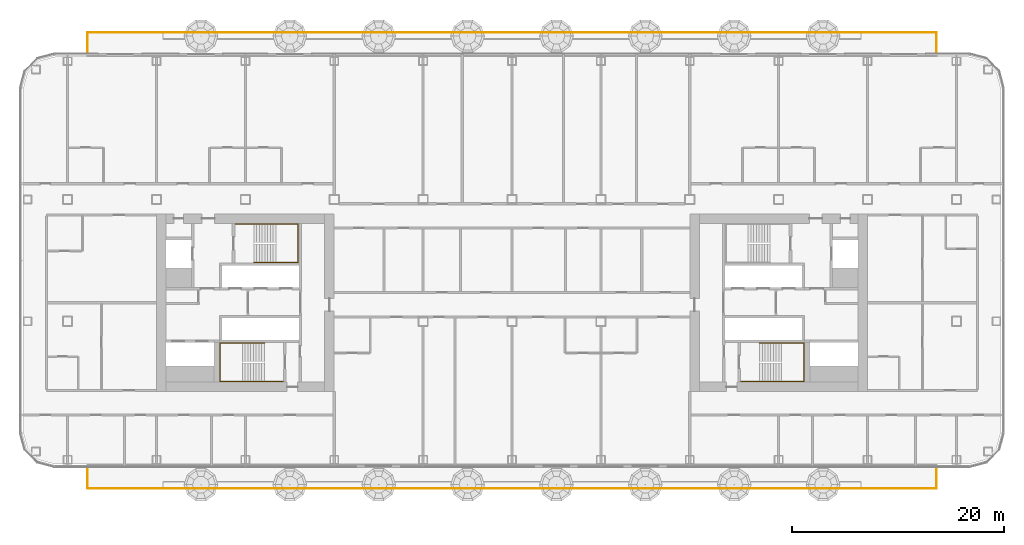
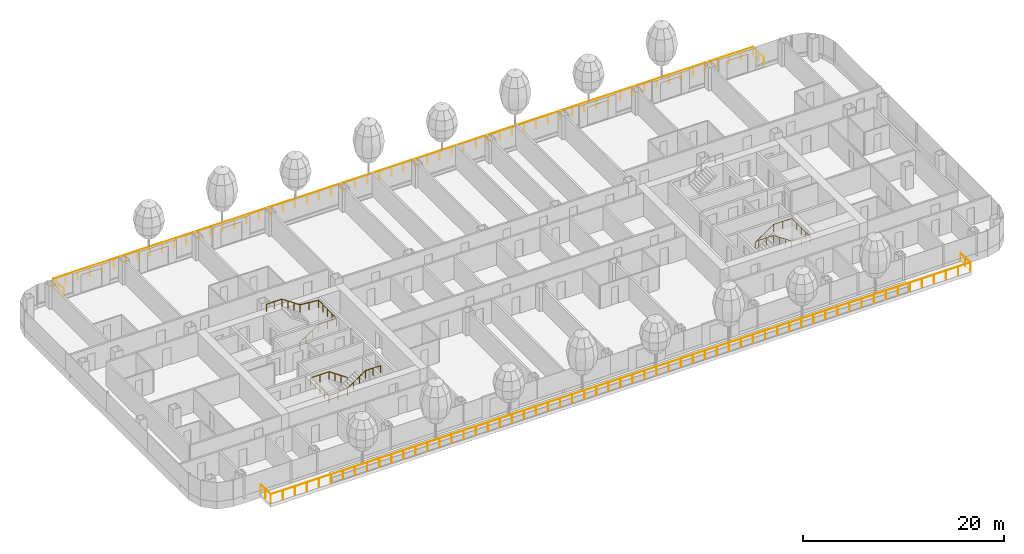
# One storey, part 28 of 34: 5 railings.
"""IFC4 building model written with IfcOpenShell, lengths in metres."""

from ifc_helpers import new_model, si_unit, direction, frame, origin, origin_2d, place, context, subcontext, project, spatial, circle, extrude, material, type_object, element, save


model = new_model("IFC4")

# Units and contexts
model_context = context("Model", 3, precision=1e-05, world=origin(), true_north=direction((0.0, 1.0)))
body_context = subcontext(model_context, "Body", "Model", "MODEL_VIEW")
ifc_project = project(units=[si_unit("LENGTHUNIT", "METRE"), si_unit("AREAUNIT", "SQUARE_METRE"), si_unit("VOLUMEUNIT", "CUBIC_METRE"), si_unit("PLANEANGLEUNIT", "RADIAN"), si_unit("MASSUNIT", "GRAM", prefix="KILO")], contexts=[model_context])

# Site, building, storey
site_placement = place(None, origin())
site = spatial("IfcSite", under=ifc_project, at=site_placement, CompositionType="ELEMENT")
building_placement = place(site_placement, origin())
building = spatial("IfcBuilding", under=site, at=building_placement, Name="Hakoniwa Tower and Hamabe Station Hall", CompositionType="ELEMENT")
storey_placement = place(building_placement, frame((0.0, 0.0, 107.39990234375)))
storey = spatial("IfcBuildingStorey", under=building, at=storey_placement, Name="L30", CompositionType="ELEMENT", Elevation=107.39990234375)

# Railings
ifc_material_1 = material(Name="Stainless steel and laminated glass", Category="steel")
railing_type_1 = type_object("IfcRailingType", Name="BALCONY BALUSTRADE 1100", PredefinedType="BALUSTRADE", material=ifc_material_1)
railing_1_placement = place(storey_placement, frame((-40.10009765625, 23.550048828125, 0.0)))
element("IfcRailing", 1, at=railing_1_placement, inside=storey, type_object=railing_type_1, Name="Balcony balustrade", PredefinedType="BALUSTRADE", context=body_context, shape_type="SweptSolid", body=[
    extrude(circle(Radius=0.02392578125, at=origin_2d()), frame((0.0, 0.0, 1.076171875), z_axis=(0.0, 1.0, 0.0), x_axis=(-1.0, 0.0, 0.0)), (0.0, 0.0, 1.0), 2.0),
    extrude(circle(Radius=0.02392578125, at=origin_2d()), frame((0.0, 2.0, 1.076171875), z_axis=(1.0, 0.0, 0.0), x_axis=(0.0, 1.0, 0.0)), (0.0, 0.0, 1.0), 80.2001953125),
    extrude(circle(Radius=0.02392578125, at=origin_2d()), frame((80.2001953125, 2.0, 1.076171875), z_axis=(0.0, -1.0, 0.0), x_axis=(1.0, 0.0, 0.0)), (0.0, 0.0, 1.0), 2.0),
    extrude(circle(Radius=0.02099609375, at=origin_2d()), origin(), (0.0, 0.0, 1.0), 1.052001953125),
    extrude(circle(Radius=0.02099609375, at=origin_2d()), frame((0.0, 1.0, 0.0)), (0.0, 0.0, 1.0), 1.052001953125),
    extrude(circle(Radius=0.02099609375, at=origin_2d()), frame((0.0, 2.0, 0.0)), (0.0, 0.0, 1.0), 1.052001953125),
    extrude(circle(Radius=0.02099609375, at=origin_2d()), frame((1.3828125, 2.0, 0.0)), (0.0, 0.0, 1.0), 1.052001953125),
    extrude(circle(Radius=0.02099609375, at=origin_2d()), frame((2.765625, 2.0, 0.0)), (0.0, 0.0, 1.0), 1.052001953125),
    extrude(circle(Radius=0.02099609375, at=origin_2d()), frame((4.148193359375, 2.0, 0.0)), (0.0, 0.0, 1.0), 1.052001953125),
    extrude(circle(Radius=0.02099609375, at=origin_2d()), frame((5.531005859375, 2.0, 0.0)), (0.0, 0.0, 1.0), 1.052001953125),
    extrude(circle(Radius=0.02099609375, at=origin_2d()), frame((6.913818359375, 2.0, 0.0)), (0.0, 0.0, 1.0), 1.052001953125),
    extrude(circle(Radius=0.02099609375, at=origin_2d()), frame((8.296630859375, 2.0, 0.0)), (0.0, 0.0, 1.0), 1.052001953125),
    extrude(circle(Radius=0.02099609375, at=origin_2d()), frame((9.679443359375, 2.0, 0.0)), (0.0, 0.0, 1.0), 1.052001953125),
    extrude(circle(Radius=0.02099609375, at=origin_2d()), frame((11.06201171875, 2.0, 0.0)), (0.0, 0.0, 1.0), 1.052001953125),
    extrude(circle(Radius=0.02099609375, at=origin_2d()), frame((12.44482421875, 2.0, 0.0)), (0.0, 0.0, 1.0), 1.052001953125),
    extrude(circle(Radius=0.02099609375, at=origin_2d()), frame((13.82763671875, 2.0, 0.0)), (0.0, 0.0, 1.0), 1.052001953125),
    extrude(circle(Radius=0.02099609375, at=origin_2d()), frame((15.21044921875, 2.0, 0.0)), (0.0, 0.0, 1.0), 1.052001953125),
    extrude(circle(Radius=0.02099609375, at=origin_2d()), frame((16.59326171875, 2.0, 0.0)), (0.0, 0.0, 1.0), 1.052001953125),
    extrude(circle(Radius=0.02099609375, at=origin_2d()), frame((17.975830078125, 2.0, 0.0)), (0.0, 0.0, 1.0), 1.052001953125),
    extrude(circle(Radius=0.02099609375, at=origin_2d()), frame((19.358642578125, 2.0, 0.0)), (0.0, 0.0, 1.0), 1.052001953125),
    extrude(circle(Radius=0.02099609375, at=origin_2d()), frame((20.741455078125, 2.0, 0.0)), (0.0, 0.0, 1.0), 1.052001953125),
    extrude(circle(Radius=0.02099609375, at=origin_2d()), frame((22.124267578125, 2.0, 0.0)), (0.0, 0.0, 1.0), 1.052001953125),
    extrude(circle(Radius=0.02099609375, at=origin_2d()), frame((23.5068359375, 2.0, 0.0)), (0.0, 0.0, 1.0), 1.052001953125),
    extrude(circle(Radius=0.02099609375, at=origin_2d()), frame((24.8896484375, 2.0, 0.0)), (0.0, 0.0, 1.0), 1.052001953125),
    extrude(circle(Radius=0.02099609375, at=origin_2d()), frame((26.2724609375, 2.0, 0.0)), (0.0, 0.0, 1.0), 1.052001953125),
    extrude(circle(Radius=0.02099609375, at=origin_2d()), frame((27.6552734375, 2.0, 0.0)), (0.0, 0.0, 1.0), 1.052001953125),
    extrude(circle(Radius=0.02099609375, at=origin_2d()), frame((29.0380859375, 2.0, 0.0)), (0.0, 0.0, 1.0), 1.052001953125),
    extrude(circle(Radius=0.02099609375, at=origin_2d()), frame((30.420654296875, 2.0, 0.0)), (0.0, 0.0, 1.0), 1.052001953125),
    extrude(circle(Radius=0.02099609375, at=origin_2d()), frame((31.803466796875, 2.0, 0.0)), (0.0, 0.0, 1.0), 1.052001953125),
    extrude(circle(Radius=0.02099609375, at=origin_2d()), frame((33.186279296875, 2.0, 0.0)), (0.0, 0.0, 1.0), 1.052001953125),
    extrude(circle(Radius=0.02099609375, at=origin_2d()), frame((34.569091796875, 2.0, 0.0)), (0.0, 0.0, 1.0), 1.052001953125),
    extrude(circle(Radius=0.02099609375, at=origin_2d()), frame((35.951904296875, 2.0, 0.0)), (0.0, 0.0, 1.0), 1.052001953125),
    extrude(circle(Radius=0.02099609375, at=origin_2d()), frame((37.33447265625, 2.0, 0.0)), (0.0, 0.0, 1.0), 1.052001953125),
    extrude(circle(Radius=0.02099609375, at=origin_2d()), frame((38.71728515625, 2.0, 0.0)), (0.0, 0.0, 1.0), 1.052001953125),
    extrude(circle(Radius=0.02099609375, at=origin_2d()), frame((40.10009765625, 2.0, 0.0)), (0.0, 0.0, 1.0), 1.052001953125),
    extrude(circle(Radius=0.02099609375, at=origin_2d()), frame((41.48291015625, 2.0, 0.0)), (0.0, 0.0, 1.0), 1.052001953125),
    extrude(circle(Radius=0.02099609375, at=origin_2d()), frame((42.86572265625, 2.0, 0.0)), (0.0, 0.0, 1.0), 1.052001953125),
    extrude(circle(Radius=0.02099609375, at=origin_2d()), frame((44.248291015625, 2.0, 0.0)), (0.0, 0.0, 1.0), 1.052001953125),
    extrude(circle(Radius=0.02099609375, at=origin_2d()), frame((45.631103515625, 2.0, 0.0)), (0.0, 0.0, 1.0), 1.052001953125),
    extrude(circle(Radius=0.02099609375, at=origin_2d()), frame((47.013916015625, 2.0, 0.0)), (0.0, 0.0, 1.0), 1.052001953125),
    extrude(circle(Radius=0.02099609375, at=origin_2d()), frame((48.396728515625, 2.0, 0.0)), (0.0, 0.0, 1.0), 1.052001953125),
    extrude(circle(Radius=0.02099609375, at=origin_2d()), frame((49.779541015625, 2.0, 0.0)), (0.0, 0.0, 1.0), 1.052001953125),
    extrude(circle(Radius=0.02099609375, at=origin_2d()), frame((51.162109375, 2.0, 0.0)), (0.0, 0.0, 1.0), 1.052001953125),
    extrude(circle(Radius=0.02099609375, at=origin_2d()), frame((52.544921875, 2.0, 0.0)), (0.0, 0.0, 1.0), 1.052001953125),
    extrude(circle(Radius=0.02099609375, at=origin_2d()), frame((53.927734375, 2.0, 0.0)), (0.0, 0.0, 1.0), 1.052001953125),
    extrude(circle(Radius=0.02099609375, at=origin_2d()), frame((55.310546875, 2.0, 0.0)), (0.0, 0.0, 1.0), 1.052001953125),
    extrude(circle(Radius=0.02099609375, at=origin_2d()), frame((56.693359375, 2.0, 0.0)), (0.0, 0.0, 1.0), 1.052001953125),
    extrude(circle(Radius=0.02099609375, at=origin_2d()), frame((58.075927734375, 2.0, 0.0)), (0.0, 0.0, 1.0), 1.052001953125),
    extrude(circle(Radius=0.02099609375, at=origin_2d()), frame((59.458740234375, 2.0, 0.0)), (0.0, 0.0, 1.0), 1.052001953125),
    extrude(circle(Radius=0.02099609375, at=origin_2d()), frame((60.841552734375, 2.0, 0.0)), (0.0, 0.0, 1.0), 1.052001953125),
    extrude(circle(Radius=0.02099609375, at=origin_2d()), frame((62.224365234375, 2.0, 0.0)), (0.0, 0.0, 1.0), 1.052001953125),
    extrude(circle(Radius=0.02099609375, at=origin_2d()), frame((63.60693359375, 2.0, 0.0)), (0.0, 0.0, 1.0), 1.052001953125),
    extrude(circle(Radius=0.02099609375, at=origin_2d()), frame((64.98974609375, 2.0, 0.0)), (0.0, 0.0, 1.0), 1.052001953125),
    extrude(circle(Radius=0.02099609375, at=origin_2d()), frame((66.37255859375, 2.0, 0.0)), (0.0, 0.0, 1.0), 1.052001953125),
    extrude(circle(Radius=0.02099609375, at=origin_2d()), frame((67.75537109375, 2.0, 0.0)), (0.0, 0.0, 1.0), 1.052001953125),
    extrude(circle(Radius=0.02099609375, at=origin_2d()), frame((69.13818359375, 2.0, 0.0)), (0.0, 0.0, 1.0), 1.052001953125),
    extrude(circle(Radius=0.02099609375, at=origin_2d()), frame((70.520751953125, 2.0, 0.0)), (0.0, 0.0, 1.0), 1.052001953125),
    extrude(circle(Radius=0.02099609375, at=origin_2d()), frame((71.903564453125, 2.0, 0.0)), (0.0, 0.0, 1.0), 1.052001953125),
    extrude(circle(Radius=0.02099609375, at=origin_2d()), frame((73.286376953125, 2.0, 0.0)), (0.0, 0.0, 1.0), 1.052001953125),
    extrude(circle(Radius=0.02099609375, at=origin_2d()), frame((74.669189453125, 2.0, 0.0)), (0.0, 0.0, 1.0), 1.052001953125),
    extrude(circle(Radius=0.02099609375, at=origin_2d()), frame((76.052001953125, 2.0, 0.0)), (0.0, 0.0, 1.0), 1.052001953125),
    extrude(circle(Radius=0.02099609375, at=origin_2d()), frame((77.4345703125, 2.0, 0.0)), (0.0, 0.0, 1.0), 1.052001953125),
    extrude(circle(Radius=0.02099609375, at=origin_2d()), frame((78.8173828125, 2.0, 0.0)), (0.0, 0.0, 1.0), 1.052001953125),
    extrude(circle(Radius=0.02099609375, at=origin_2d()), frame((80.2001953125, 2.0, 0.0)), (0.0, 0.0, 1.0), 1.052001953125),
    extrude(circle(Radius=0.02099609375, at=origin_2d()), frame((80.2001953125, 1.0, 0.0)), (0.0, 0.0, 1.0), 1.052001953125),
    extrude(circle(Radius=0.02099609375, at=origin_2d()), frame((80.2001953125, 0.0, 0.0)), (0.0, 0.0, 1.0), 1.052001953125),
])
railing_2_placement = place(storey_placement, frame((-40.10009765625, -15.550048828125, 0.0)))
element("IfcRailing", 2, at=railing_2_placement, inside=storey, type_object=railing_type_1, Name="Balcony balustrade", PredefinedType="BALUSTRADE", context=body_context, shape_type="SweptSolid", body=[
    extrude(circle(Radius=0.02392578125, at=origin_2d()), frame((0.0, 0.0, 1.076171875), z_axis=(0.0, -1.0, 0.0), x_axis=(1.0, 0.0, 0.0)), (0.0, 0.0, 1.0), 2.0),
    extrude(circle(Radius=0.02392578125, at=origin_2d()), frame((0.0, -2.0, 1.076171875), z_axis=(1.0, 0.0, 0.0), x_axis=(0.0, 1.0, 0.0)), (0.0, 0.0, 1.0), 80.2001953125),
    extrude(circle(Radius=0.02392578125, at=origin_2d()), frame((80.2001953125, -2.0, 1.076171875), z_axis=(0.0, 1.0, 0.0), x_axis=(-1.0, 0.0, 0.0)), (0.0, 0.0, 1.0), 2.0),
    extrude(circle(Radius=0.02099609375, at=origin_2d()), origin(), (0.0, 0.0, 1.0), 1.052001953125),
    extrude(circle(Radius=0.02099609375, at=origin_2d()), frame((0.0, -1.0, 0.0)), (0.0, 0.0, 1.0), 1.052001953125),
    extrude(circle(Radius=0.02099609375, at=origin_2d()), frame((0.0, -2.0, 0.0)), (0.0, 0.0, 1.0), 1.052001953125),
    extrude(circle(Radius=0.02099609375, at=origin_2d()), frame((1.3828125, -2.0, 0.0)), (0.0, 0.0, 1.0), 1.052001953125),
    extrude(circle(Radius=0.02099609375, at=origin_2d()), frame((2.765625, -2.0, 0.0)), (0.0, 0.0, 1.0), 1.052001953125),
    extrude(circle(Radius=0.02099609375, at=origin_2d()), frame((4.148193359375, -2.0, 0.0)), (0.0, 0.0, 1.0), 1.052001953125),
    extrude(circle(Radius=0.02099609375, at=origin_2d()), frame((5.531005859375, -2.0, 0.0)), (0.0, 0.0, 1.0), 1.052001953125),
    extrude(circle(Radius=0.02099609375, at=origin_2d()), frame((6.913818359375, -2.0, 0.0)), (0.0, 0.0, 1.0), 1.052001953125),
    extrude(circle(Radius=0.02099609375, at=origin_2d()), frame((8.296630859375, -2.0, 0.0)), (0.0, 0.0, 1.0), 1.052001953125),
    extrude(circle(Radius=0.02099609375, at=origin_2d()), frame((9.679443359375, -2.0, 0.0)), (0.0, 0.0, 1.0), 1.052001953125),
    extrude(circle(Radius=0.02099609375, at=origin_2d()), frame((11.06201171875, -2.0, 0.0)), (0.0, 0.0, 1.0), 1.052001953125),
    extrude(circle(Radius=0.02099609375, at=origin_2d()), frame((12.44482421875, -2.0, 0.0)), (0.0, 0.0, 1.0), 1.052001953125),
    extrude(circle(Radius=0.02099609375, at=origin_2d()), frame((13.82763671875, -2.0, 0.0)), (0.0, 0.0, 1.0), 1.052001953125),
    extrude(circle(Radius=0.02099609375, at=origin_2d()), frame((15.21044921875, -2.0, 0.0)), (0.0, 0.0, 1.0), 1.052001953125),
    extrude(circle(Radius=0.02099609375, at=origin_2d()), frame((16.59326171875, -2.0, 0.0)), (0.0, 0.0, 1.0), 1.052001953125),
    extrude(circle(Radius=0.02099609375, at=origin_2d()), frame((17.975830078125, -2.0, 0.0)), (0.0, 0.0, 1.0), 1.052001953125),
    extrude(circle(Radius=0.02099609375, at=origin_2d()), frame((19.358642578125, -2.0, 0.0)), (0.0, 0.0, 1.0), 1.052001953125),
    extrude(circle(Radius=0.02099609375, at=origin_2d()), frame((20.741455078125, -2.0, 0.0)), (0.0, 0.0, 1.0), 1.052001953125),
    extrude(circle(Radius=0.02099609375, at=origin_2d()), frame((22.124267578125, -2.0, 0.0)), (0.0, 0.0, 1.0), 1.052001953125),
    extrude(circle(Radius=0.02099609375, at=origin_2d()), frame((23.5068359375, -2.0, 0.0)), (0.0, 0.0, 1.0), 1.052001953125),
    extrude(circle(Radius=0.02099609375, at=origin_2d()), frame((24.8896484375, -2.0, 0.0)), (0.0, 0.0, 1.0), 1.052001953125),
    extrude(circle(Radius=0.02099609375, at=origin_2d()), frame((26.2724609375, -2.0, 0.0)), (0.0, 0.0, 1.0), 1.052001953125),
    extrude(circle(Radius=0.02099609375, at=origin_2d()), frame((27.6552734375, -2.0, 0.0)), (0.0, 0.0, 1.0), 1.052001953125),
    extrude(circle(Radius=0.02099609375, at=origin_2d()), frame((29.0380859375, -2.0, 0.0)), (0.0, 0.0, 1.0), 1.052001953125),
    extrude(circle(Radius=0.02099609375, at=origin_2d()), frame((30.420654296875, -2.0, 0.0)), (0.0, 0.0, 1.0), 1.052001953125),
    extrude(circle(Radius=0.02099609375, at=origin_2d()), frame((31.803466796875, -2.0, 0.0)), (0.0, 0.0, 1.0), 1.052001953125),
    extrude(circle(Radius=0.02099609375, at=origin_2d()), frame((33.186279296875, -2.0, 0.0)), (0.0, 0.0, 1.0), 1.052001953125),
    extrude(circle(Radius=0.02099609375, at=origin_2d()), frame((34.569091796875, -2.0, 0.0)), (0.0, 0.0, 1.0), 1.052001953125),
    extrude(circle(Radius=0.02099609375, at=origin_2d()), frame((35.951904296875, -2.0, 0.0)), (0.0, 0.0, 1.0), 1.052001953125),
    extrude(circle(Radius=0.02099609375, at=origin_2d()), frame((37.33447265625, -2.0, 0.0)), (0.0, 0.0, 1.0), 1.052001953125),
    extrude(circle(Radius=0.02099609375, at=origin_2d()), frame((38.71728515625, -2.0, 0.0)), (0.0, 0.0, 1.0), 1.052001953125),
    extrude(circle(Radius=0.02099609375, at=origin_2d()), frame((40.10009765625, -2.0, 0.0)), (0.0, 0.0, 1.0), 1.052001953125),
    extrude(circle(Radius=0.02099609375, at=origin_2d()), frame((41.48291015625, -2.0, 0.0)), (0.0, 0.0, 1.0), 1.052001953125),
    extrude(circle(Radius=0.02099609375, at=origin_2d()), frame((42.86572265625, -2.0, 0.0)), (0.0, 0.0, 1.0), 1.052001953125),
    extrude(circle(Radius=0.02099609375, at=origin_2d()), frame((44.248291015625, -2.0, 0.0)), (0.0, 0.0, 1.0), 1.052001953125),
    extrude(circle(Radius=0.02099609375, at=origin_2d()), frame((45.631103515625, -2.0, 0.0)), (0.0, 0.0, 1.0), 1.052001953125),
    extrude(circle(Radius=0.02099609375, at=origin_2d()), frame((47.013916015625, -2.0, 0.0)), (0.0, 0.0, 1.0), 1.052001953125),
    extrude(circle(Radius=0.02099609375, at=origin_2d()), frame((48.396728515625, -2.0, 0.0)), (0.0, 0.0, 1.0), 1.052001953125),
    extrude(circle(Radius=0.02099609375, at=origin_2d()), frame((49.779541015625, -2.0, 0.0)), (0.0, 0.0, 1.0), 1.052001953125),
    extrude(circle(Radius=0.02099609375, at=origin_2d()), frame((51.162109375, -2.0, 0.0)), (0.0, 0.0, 1.0), 1.052001953125),
    extrude(circle(Radius=0.02099609375, at=origin_2d()), frame((52.544921875, -2.0, 0.0)), (0.0, 0.0, 1.0), 1.052001953125),
    extrude(circle(Radius=0.02099609375, at=origin_2d()), frame((53.927734375, -2.0, 0.0)), (0.0, 0.0, 1.0), 1.052001953125),
    extrude(circle(Radius=0.02099609375, at=origin_2d()), frame((55.310546875, -2.0, 0.0)), (0.0, 0.0, 1.0), 1.052001953125),
    extrude(circle(Radius=0.02099609375, at=origin_2d()), frame((56.693359375, -2.0, 0.0)), (0.0, 0.0, 1.0), 1.052001953125),
    extrude(circle(Radius=0.02099609375, at=origin_2d()), frame((58.075927734375, -2.0, 0.0)), (0.0, 0.0, 1.0), 1.052001953125),
    extrude(circle(Radius=0.02099609375, at=origin_2d()), frame((59.458740234375, -2.0, 0.0)), (0.0, 0.0, 1.0), 1.052001953125),
    extrude(circle(Radius=0.02099609375, at=origin_2d()), frame((60.841552734375, -2.0, 0.0)), (0.0, 0.0, 1.0), 1.052001953125),
    extrude(circle(Radius=0.02099609375, at=origin_2d()), frame((62.224365234375, -2.0, 0.0)), (0.0, 0.0, 1.0), 1.052001953125),
    extrude(circle(Radius=0.02099609375, at=origin_2d()), frame((63.60693359375, -2.0, 0.0)), (0.0, 0.0, 1.0), 1.052001953125),
    extrude(circle(Radius=0.02099609375, at=origin_2d()), frame((64.98974609375, -2.0, 0.0)), (0.0, 0.0, 1.0), 1.052001953125),
    extrude(circle(Radius=0.02099609375, at=origin_2d()), frame((66.37255859375, -2.0, 0.0)), (0.0, 0.0, 1.0), 1.052001953125),
    extrude(circle(Radius=0.02099609375, at=origin_2d()), frame((67.75537109375, -2.0, 0.0)), (0.0, 0.0, 1.0), 1.052001953125),
    extrude(circle(Radius=0.02099609375, at=origin_2d()), frame((69.13818359375, -2.0, 0.0)), (0.0, 0.0, 1.0), 1.052001953125),
    extrude(circle(Radius=0.02099609375, at=origin_2d()), frame((70.520751953125, -2.0, 0.0)), (0.0, 0.0, 1.0), 1.052001953125),
    extrude(circle(Radius=0.02099609375, at=origin_2d()), frame((71.903564453125, -2.0, 0.0)), (0.0, 0.0, 1.0), 1.052001953125),
    extrude(circle(Radius=0.02099609375, at=origin_2d()), frame((73.286376953125, -2.0, 0.0)), (0.0, 0.0, 1.0), 1.052001953125),
    extrude(circle(Radius=0.02099609375, at=origin_2d()), frame((74.669189453125, -2.0, 0.0)), (0.0, 0.0, 1.0), 1.052001953125),
    extrude(circle(Radius=0.02099609375, at=origin_2d()), frame((76.052001953125, -2.0, 0.0)), (0.0, 0.0, 1.0), 1.052001953125),
    extrude(circle(Radius=0.02099609375, at=origin_2d()), frame((77.4345703125, -2.0, 0.0)), (0.0, 0.0, 1.0), 1.052001953125),
    extrude(circle(Radius=0.02099609375, at=origin_2d()), frame((78.8173828125, -2.0, 0.0)), (0.0, 0.0, 1.0), 1.052001953125),
    extrude(circle(Radius=0.02099609375, at=origin_2d()), frame((80.2001953125, -2.0, 0.0)), (0.0, 0.0, 1.0), 1.052001953125),
    extrude(circle(Radius=0.02099609375, at=origin_2d()), frame((80.2001953125, -1.0, 0.0)), (0.0, 0.0, 1.0), 1.052001953125),
    extrude(circle(Radius=0.02099609375, at=origin_2d()), frame((80.2001953125, 0.0, 0.0)), (0.0, 0.0, 1.0), 1.052001953125),
])
ifc_material_2 = material(Name="Stainless steel SUS304", Category="steel")
railing_type_2 = type_object("IfcRailingType", Name="STAIR HANDRAIL 900", PredefinedType="HANDRAIL", material=ifc_material_2)
railing_3_placement = place(storey_placement, frame((-24.39990234375, 3.81005859375, 0.177978515625)))
element("IfcRailing", 3, at=railing_3_placement, inside=storey, type_object=railing_type_2, Name="Handrail ST-1 L30 1", PredefinedType="HANDRAIL", context=body_context, shape_type="SweptSolid", body=[
    extrude(circle(Radius=0.02392578125, at=origin_2d()), frame((0.0, 0.0, 0.8759765625), z_axis=(0.825478349766, 0.0, 0.564433781827), x_axis=(0.0, 1.0, 0.0)), (0.0, 0.0, 1.0), 2.51953125),
    extrude(circle(Radius=0.02392578125, at=origin_2d()), frame((2.079833984375, 0.0, 2.2978515625), z_axis=(1.0, 0.0, 0.0), x_axis=(0.0, 1.0, 0.0)), (0.0, 0.0, 1.0), 2.110107421875),
    extrude(circle(Radius=0.02392578125, at=origin_2d()), frame((4.18994140625, 0.0, 2.2978515625), z_axis=(0.0, 1.0, 0.0), x_axis=(-1.0, 0.0, 0.0)), (0.0, 0.0, 1.0), 3.6298828125),
    extrude(circle(Radius=0.02392578125, at=origin_2d()), frame((4.18994140625, 3.6298828125, 2.2978515625), z_axis=(-0.996471417081, 0.0, 0.083932800143), x_axis=(0.0, -1.0, 0.0)), (0.0, 0.0, 1.0), 2.11767578125),
    extrude(circle(Radius=0.02392578125, at=origin_2d()), frame((2.079833984375, 3.6298828125, 2.4755859375), z_axis=(-0.825433201882, 0.0, 0.564499804456), x_axis=(0.0, -1.0, 0.0)), (0.0, 0.0, 1.0), 2.519775390625),
    extrude(circle(Radius=0.02392578125, at=origin_2d()), frame((0.0, 3.6298828125, 3.89794921875), z_axis=(-1.0, 0.0, 0.0), x_axis=(0.0, -1.0, 0.0)), (0.0, 0.0, 1.0), 1.739990234375),
    extrude(circle(Radius=0.02099609375, at=origin_2d()), origin(), (0.0, 0.0, 1.0), 0.851806640625),
    extrude(circle(Radius=0.02099609375, at=origin_2d()), frame((0.693359375, 0.0, 0.47412109375)), (0.0, 0.0, 1.0), 0.851806640625),
    extrude(circle(Radius=0.02099609375, at=origin_2d()), frame((1.386474609375, 0.0, 0.947998046875)), (0.0, 0.0, 1.0), 0.851806640625),
    extrude(circle(Radius=0.02099609375, at=origin_2d()), frame((2.079833984375, 0.0, 1.422119140625)), (0.0, 0.0, 1.0), 0.851806640625),
    extrude(circle(Radius=0.02099609375, at=origin_2d()), frame((3.134765625, 0.0, 1.422119140625)), (0.0, 0.0, 1.0), 0.851806640625),
    extrude(circle(Radius=0.02099609375, at=origin_2d()), frame((4.18994140625, 0.0, 1.422119140625)), (0.0, 0.0, 1.0), 0.851806640625),
    extrude(circle(Radius=0.02099609375, at=origin_2d()), frame((4.18994140625, 0.907470703125, 1.422119140625)), (0.0, 0.0, 1.0), 0.851806640625),
    extrude(circle(Radius=0.02099609375, at=origin_2d()), frame((4.18994140625, 1.81494140625, 1.422119140625)), (0.0, 0.0, 1.0), 0.851806640625),
    extrude(circle(Radius=0.02099609375, at=origin_2d()), frame((4.18994140625, 2.722412109375, 1.422119140625)), (0.0, 0.0, 1.0), 0.851806640625),
    extrude(circle(Radius=0.02099609375, at=origin_2d()), frame((4.18994140625, 3.6298828125, 1.422119140625)), (0.0, 0.0, 1.0), 0.851806640625),
    extrude(circle(Radius=0.02099609375, at=origin_2d()), frame((3.134765625, 3.6298828125, 1.510986328125)), (0.0, 0.0, 1.0), 0.851806640625),
    extrude(circle(Radius=0.02099609375, at=origin_2d()), frame((2.079833984375, 3.6298828125, 1.599853515625)), (0.0, 0.0, 1.0), 0.851806640625),
    extrude(circle(Radius=0.02099609375, at=origin_2d()), frame((1.386474609375, 3.6298828125, 2.073974609375)), (0.0, 0.0, 1.0), 0.851806640625),
    extrude(circle(Radius=0.02099609375, at=origin_2d()), frame((0.693359375, 3.6298828125, 2.548095703125)), (0.0, 0.0, 1.0), 0.851806640625),
    extrude(circle(Radius=0.02099609375, at=origin_2d()), frame((0.0, 3.6298828125, 3.022216796875)), (0.0, 0.0, 1.0), 0.851806640625),
    extrude(circle(Radius=0.02099609375, at=origin_2d()), frame((-0.8701171875, 3.6298828125, 3.022216796875)), (0.0, 0.0, 1.0), 0.851806640625),
    extrude(circle(Radius=0.02099609375, at=origin_2d()), frame((-1.739990234375, 3.6298828125, 3.022216796875)), (0.0, 0.0, 1.0), 0.851806640625),
])
railing_4_placement = place(storey_placement, frame((-23.39990234375, -3.81005859375, 0.177978515625)))
element("IfcRailing", 4, at=railing_4_placement, inside=storey, type_object=railing_type_2, Name="Handrail ST-2 L30 1", PredefinedType="HANDRAIL", context=body_context, shape_type="SweptSolid", body=[
    extrude(circle(Radius=0.02392578125, at=origin_2d()), frame((0.0, 0.0, 0.8759765625), z_axis=(-0.82550921652, 0.0, 0.564388636881), x_axis=(0.0, -1.0, 0.0)), (0.0, 0.0, 1.0), 2.519775390625),
    extrude(circle(Radius=0.02392578125, at=origin_2d()), frame((-2.080078125, 0.0, 2.2978515625), z_axis=(-1.0, 0.0, 0.0), x_axis=(0.0, -1.0, 0.0)), (0.0, 0.0, 1.0), 2.110107421875),
    extrude(circle(Radius=0.02392578125, at=origin_2d()), frame((-4.190185546875, 0.0, 2.2978515625), z_axis=(0.0, -1.0, 0.0), x_axis=(1.0, 0.0, 0.0)), (0.0, 0.0, 1.0), 3.6298828125),
    extrude(circle(Radius=0.02392578125, at=origin_2d()), frame((-4.190185546875, -3.6298828125, 2.2978515625), z_axis=(0.996471417081, 0.0, 0.083932800143), x_axis=(0.0, 1.0, 0.0)), (0.0, 0.0, 1.0), 2.11767578125),
    extrude(circle(Radius=0.02392578125, at=origin_2d()), frame((-2.080078125, -3.6298828125, 2.4755859375), z_axis=(0.825464074169, 0.0, 0.564454659168), x_axis=(0.0, 1.0, 0.0)), (0.0, 0.0, 1.0), 2.519775390625),
    extrude(circle(Radius=0.02392578125, at=origin_2d()), frame((0.0, -3.6298828125, 3.89794921875), z_axis=(1.0, 0.0, 0.0), x_axis=(0.0, 1.0, 0.0)), (0.0, 0.0, 1.0), 1.739990234375),
    extrude(circle(Radius=0.02099609375, at=origin_2d()), origin(), (0.0, 0.0, 1.0), 0.851806640625),
    extrude(circle(Radius=0.02099609375, at=origin_2d()), frame((-0.693359375, 0.0, 0.47412109375)), (0.0, 0.0, 1.0), 0.851806640625),
    extrude(circle(Radius=0.02099609375, at=origin_2d()), frame((-1.38671875, 0.0, 0.947998046875)), (0.0, 0.0, 1.0), 0.851806640625),
    extrude(circle(Radius=0.02099609375, at=origin_2d()), frame((-2.080078125, 0.0, 1.422119140625)), (0.0, 0.0, 1.0), 0.851806640625),
    extrude(circle(Radius=0.02099609375, at=origin_2d()), frame((-3.13525390625, 0.0, 1.422119140625)), (0.0, 0.0, 1.0), 0.851806640625),
    extrude(circle(Radius=0.02099609375, at=origin_2d()), frame((-4.190185546875, 0.0, 1.422119140625)), (0.0, 0.0, 1.0), 0.851806640625),
    extrude(circle(Radius=0.02099609375, at=origin_2d()), frame((-4.190185546875, -0.907470703125, 1.422119140625)), (0.0, 0.0, 1.0), 0.851806640625),
    extrude(circle(Radius=0.02099609375, at=origin_2d()), frame((-4.190185546875, -1.81494140625, 1.422119140625)), (0.0, 0.0, 1.0), 0.851806640625),
    extrude(circle(Radius=0.02099609375, at=origin_2d()), frame((-4.190185546875, -2.722412109375, 1.422119140625)), (0.0, 0.0, 1.0), 0.851806640625),
    extrude(circle(Radius=0.02099609375, at=origin_2d()), frame((-4.190185546875, -3.6298828125, 1.422119140625)), (0.0, 0.0, 1.0), 0.851806640625),
    extrude(circle(Radius=0.02099609375, at=origin_2d()), frame((-3.13525390625, -3.6298828125, 1.510986328125)), (0.0, 0.0, 1.0), 0.851806640625),
    extrude(circle(Radius=0.02099609375, at=origin_2d()), frame((-2.080078125, -3.6298828125, 1.599853515625)), (0.0, 0.0, 1.0), 0.851806640625),
    extrude(circle(Radius=0.02099609375, at=origin_2d()), frame((-1.38671875, -3.6298828125, 2.073974609375)), (0.0, 0.0, 1.0), 0.851806640625),
    extrude(circle(Radius=0.02099609375, at=origin_2d()), frame((-0.693359375, -3.6298828125, 2.548095703125)), (0.0, 0.0, 1.0), 0.851806640625),
    extrude(circle(Radius=0.02099609375, at=origin_2d()), frame((0.0, -3.6298828125, 3.022216796875)), (0.0, 0.0, 1.0), 0.851806640625),
    extrude(circle(Radius=0.02099609375, at=origin_2d()), frame((0.8701171875, -3.6298828125, 3.022216796875)), (0.0, 0.0, 1.0), 0.851806640625),
    extrude(circle(Radius=0.02099609375, at=origin_2d()), frame((1.739990234375, -3.6298828125, 3.022216796875)), (0.0, 0.0, 1.0), 0.851806640625),
])
railing_5_placement = place(storey_placement, frame((23.39990234375, -3.81005859375, 0.177978515625)))
element("IfcRailing", 5, at=railing_5_placement, inside=storey, type_object=railing_type_2, Name="Handrail ST-4 L30 1", PredefinedType="HANDRAIL", context=body_context, shape_type="SweptSolid", body=[
    extrude(circle(Radius=0.02392578125, at=origin_2d()), frame((0.0, 0.0, 0.8759765625), z_axis=(0.82550921652, 0.0, 0.564388636881), x_axis=(0.0, 1.0, 0.0)), (0.0, 0.0, 1.0), 2.519775390625),
    extrude(circle(Radius=0.02392578125, at=origin_2d()), frame((2.080078125, 0.0, 2.2978515625), z_axis=(1.0, 0.0, 0.0), x_axis=(0.0, 1.0, 0.0)), (0.0, 0.0, 1.0), 2.110107421875),
    extrude(circle(Radius=0.02392578125, at=origin_2d()), frame((4.190185546875, 0.0, 2.2978515625), z_axis=(0.0, -1.0, 0.0), x_axis=(1.0, 0.0, 0.0)), (0.0, 0.0, 1.0), 3.6298828125),
    extrude(circle(Radius=0.02392578125, at=origin_2d()), frame((4.190185546875, -3.6298828125, 2.2978515625), z_axis=(-0.996471417081, 0.0, 0.083932800143), x_axis=(0.0, -1.0, 0.0)), (0.0, 0.0, 1.0), 2.11767578125),
    extrude(circle(Radius=0.02392578125, at=origin_2d()), frame((2.080078125, -3.6298828125, 2.4755859375), z_axis=(-0.825464074169, 0.0, 0.564454659168), x_axis=(0.0, -1.0, 0.0)), (0.0, 0.0, 1.0), 2.519775390625),
    extrude(circle(Radius=0.02392578125, at=origin_2d()), frame((0.0, -3.6298828125, 3.89794921875), z_axis=(-1.0, 0.0, 0.0), x_axis=(0.0, -1.0, 0.0)), (0.0, 0.0, 1.0), 1.739990234375),
    extrude(circle(Radius=0.02099609375, at=origin_2d()), origin(), (0.0, 0.0, 1.0), 0.851806640625),
    extrude(circle(Radius=0.02099609375, at=origin_2d()), frame((0.693359375, 0.0, 0.47412109375)), (0.0, 0.0, 1.0), 0.851806640625),
    extrude(circle(Radius=0.02099609375, at=origin_2d()), frame((1.38671875, 0.0, 0.947998046875)), (0.0, 0.0, 1.0), 0.851806640625),
    extrude(circle(Radius=0.02099609375, at=origin_2d()), frame((2.080078125, 0.0, 1.422119140625)), (0.0, 0.0, 1.0), 0.851806640625),
    extrude(circle(Radius=0.02099609375, at=origin_2d()), frame((3.13525390625, 0.0, 1.422119140625)), (0.0, 0.0, 1.0), 0.851806640625),
    extrude(circle(Radius=0.02099609375, at=origin_2d()), frame((4.190185546875, 0.0, 1.422119140625)), (0.0, 0.0, 1.0), 0.851806640625),
    extrude(circle(Radius=0.02099609375, at=origin_2d()), frame((4.190185546875, -0.907470703125, 1.422119140625)), (0.0, 0.0, 1.0), 0.851806640625),
    extrude(circle(Radius=0.02099609375, at=origin_2d()), frame((4.190185546875, -1.81494140625, 1.422119140625)), (0.0, 0.0, 1.0), 0.851806640625),
    extrude(circle(Radius=0.02099609375, at=origin_2d()), frame((4.190185546875, -2.722412109375, 1.422119140625)), (0.0, 0.0, 1.0), 0.851806640625),
    extrude(circle(Radius=0.02099609375, at=origin_2d()), frame((4.190185546875, -3.6298828125, 1.422119140625)), (0.0, 0.0, 1.0), 0.851806640625),
    extrude(circle(Radius=0.02099609375, at=origin_2d()), frame((3.13525390625, -3.6298828125, 1.510986328125)), (0.0, 0.0, 1.0), 0.851806640625),
    extrude(circle(Radius=0.02099609375, at=origin_2d()), frame((2.080078125, -3.6298828125, 1.599853515625)), (0.0, 0.0, 1.0), 0.851806640625),
    extrude(circle(Radius=0.02099609375, at=origin_2d()), frame((1.38671875, -3.6298828125, 2.073974609375)), (0.0, 0.0, 1.0), 0.851806640625),
    extrude(circle(Radius=0.02099609375, at=origin_2d()), frame((0.693359375, -3.6298828125, 2.548095703125)), (0.0, 0.0, 1.0), 0.851806640625),
    extrude(circle(Radius=0.02099609375, at=origin_2d()), frame((0.0, -3.6298828125, 3.022216796875)), (0.0, 0.0, 1.0), 0.851806640625),
    extrude(circle(Radius=0.02099609375, at=origin_2d()), frame((-0.8701171875, -3.6298828125, 3.022216796875)), (0.0, 0.0, 1.0), 0.851806640625),
    extrude(circle(Radius=0.02099609375, at=origin_2d()), frame((-1.739990234375, -3.6298828125, 3.022216796875)), (0.0, 0.0, 1.0), 0.851806640625),
])

save(model, "model.ifc")
